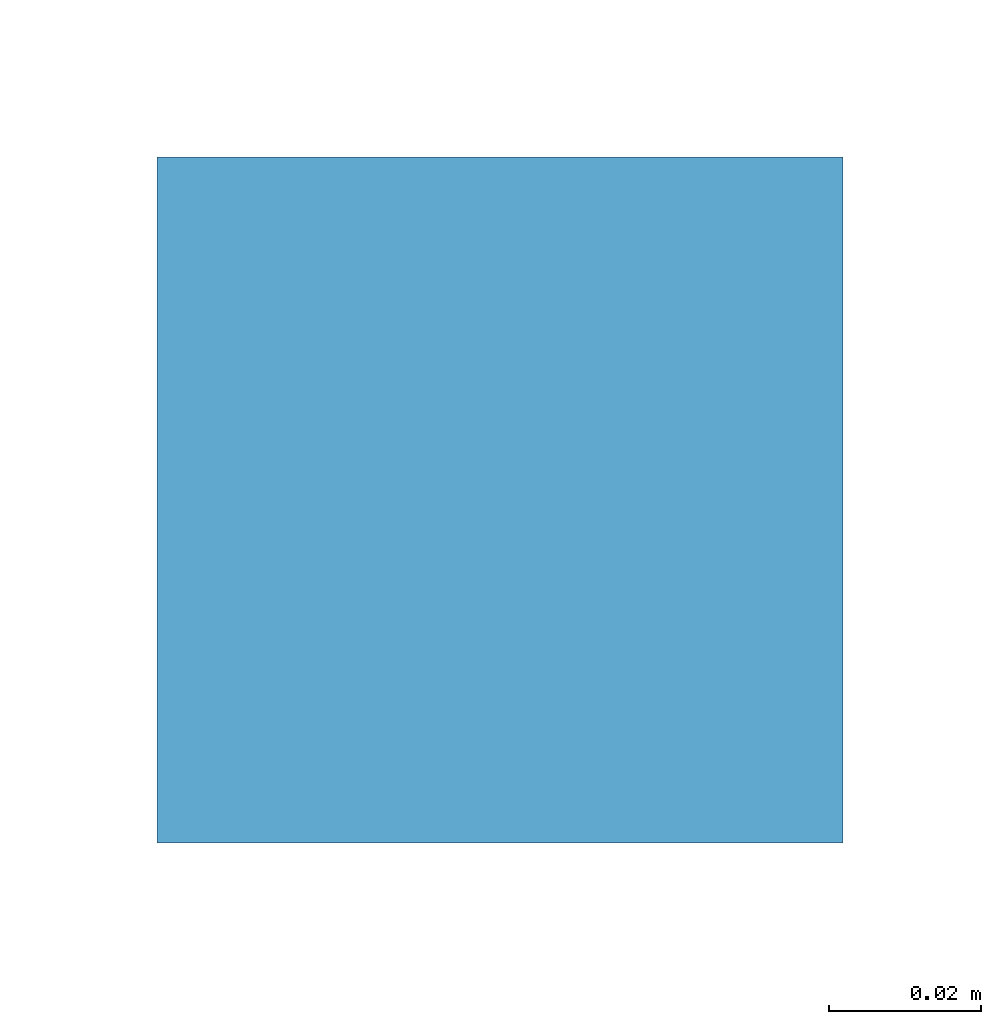
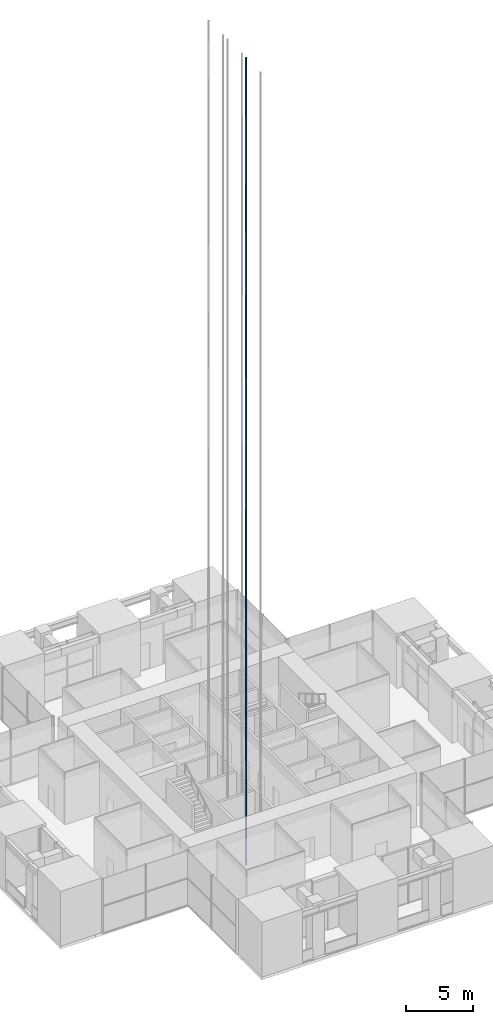
# One storey, part 9 of 17: 1 discrete accessory.
"""IFC4 building model written with IfcOpenShell, lengths in metres."""

from ifc_helpers import new_model, si_unit, direction, frame, origin, origin_2d, place, context, subcontext, project, spatial, rectangle, extrude, element, save


model = new_model("IFC4")

# Units and contexts
model_context = context("Model", 3, precision=1e-05, world=origin(), true_north=direction((0.0, 1.0)))
body_context = subcontext(model_context, "Body", "Model", "MODEL_VIEW")
ifc_project = project(units=[si_unit("LENGTHUNIT", "METRE"), si_unit("AREAUNIT", "SQUARE_METRE"), si_unit("VOLUMEUNIT", "CUBIC_METRE"), si_unit("PLANEANGLEUNIT", "RADIAN"), si_unit("MASSUNIT", "GRAM", prefix="KILO")], contexts=[model_context])

# Site, building, storey
site_placement = place(None, origin())
site = spatial("IfcSite", under=ifc_project, at=site_placement, CompositionType="ELEMENT")
building_placement = place(site_placement, origin())
building = spatial("IfcBuilding", under=site, at=building_placement, Name="Svetlomir Tower", CompositionType="ELEMENT")
storey_placement = place(building_placement, frame((0.0, 0.0, 165.5)))
storey = spatial("IfcBuildingStorey", under=building, at=storey_placement, Name="L39", CompositionType="ELEMENT", Elevation=165.5)

# Discrete accessory
discrete_accessory_placement = place(storey_placement, frame((18.300048828125, 14.97509765625, -1.400146484375), z_axis=(0.0, 0.0, 1.0), x_axis=(1.0, 0.0, 0.0)))
element("IfcDiscreteAccessory", 1, at=discrete_accessory_placement, inside=storey, Name="Lift LC1 guide rail 2", ObjectType="LIFT GUIDE RAIL", PredefinedType="USERDEFINED", context=body_context, shape_type="SweptSolid", body=[
    extrude(rectangle(XDim=0.090087890625, YDim=0.090087890625, at=origin_2d()), origin(), (0.0, 0.0, 1.0), 73.60009765625),
])

save(model, "model.ifc")
